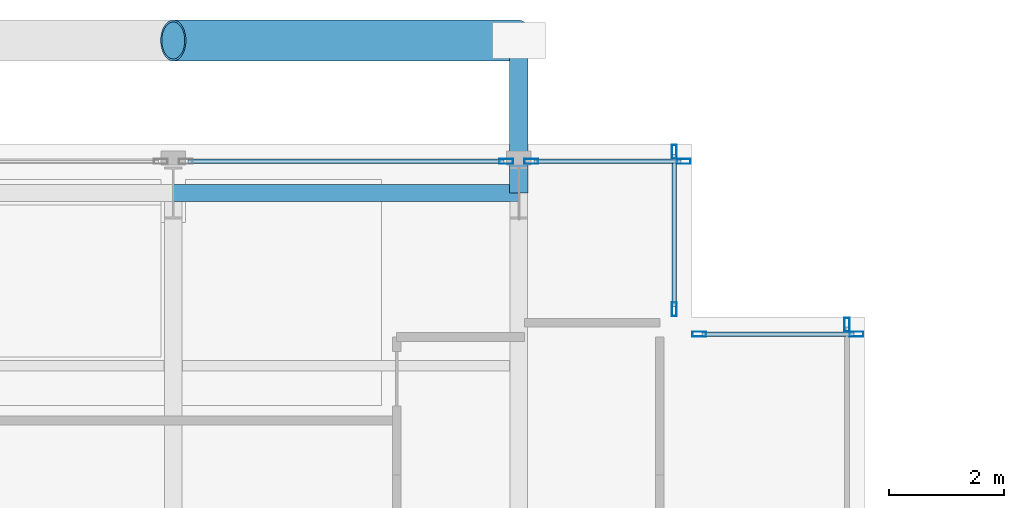
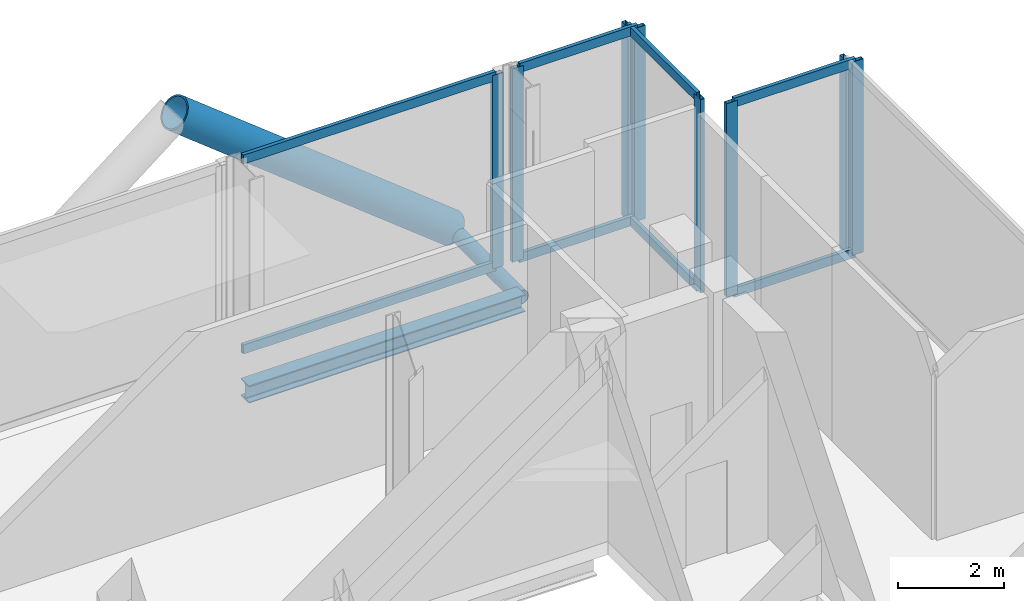
# One storey, part 12 of 19: 18 members, 1 beam, 5 elements without a shape of their own.
"""IFC4 building model written with IfcOpenShell, lengths in metres."""

from ifc_helpers import new_model, si_unit, direction, frame, origin, origin_2d, place, context, subcontext, project, spatial, hollow_rectangle, hollow_circle, i_section, extrude, material, layer, layer_set, material_profile, profile_set, type_object, element, aggregate, save


model = new_model("IFC4")

# Units and contexts
model_context = context("Model", 3, precision=1e-05, world=origin(), true_north=direction((0.0, 1.0)))
body_context = subcontext(model_context, "Body", "Model", "MODEL_VIEW")
ifc_project = project(units=[si_unit("LENGTHUNIT", "METRE"), si_unit("AREAUNIT", "SQUARE_METRE"), si_unit("VOLUMEUNIT", "CUBIC_METRE"), si_unit("PLANEANGLEUNIT", "RADIAN"), si_unit("MASSUNIT", "GRAM", prefix="KILO"), si_unit("THERMODYNAMICTEMPERATUREUNIT", "KELVIN"), si_unit("POWERUNIT", "WATT")], contexts=[model_context])

# Site, building, storey
site_placement = place(None, origin())
site = spatial("IfcSite", under=ifc_project, at=site_placement, CompositionType="ELEMENT")
building_placement = place(site_placement, origin())
building = spatial("IfcBuilding", under=site, at=building_placement, Name="Svarakhadi Broadcast Tower", CompositionType="ELEMENT")
storey_placement = place(building_placement, frame((0.0, 0.0, 204.0)))
storey = spatial("IfcBuildingStorey", under=building, at=storey_placement, Name="L50", CompositionType="ELEMENT", Elevation=204.0)

# Curtain wall, member
ifc_material_1 = material(Name="Anodised Bronze Aluminium AA 6063-T6", Category="aluminium")
ifc_layer = layer(ifc_material_1, 0.239990234375)
ifc_layer_set = layer_set([ifc_layer], Name="Anodised Bronze Aluminium AA 6063-T6")
curtain_wall_type = type_object("IfcCurtainWallType", Name="CW_Sys_06", PredefinedType="NOTDEFINED", material=ifc_layer_set)
curtain_wall_1_placement = place(storey_placement, origin())
curtain_wall_1 = element("IfcCurtainWall", 1, at=curtain_wall_1_placement, inside=storey, type_object=curtain_wall_type, Name="L50 Unitised Facade Curtain Wall 05 Bay 2", PredefinedType="NOTDEFINED")
ifc_material_profile_1 = material_profile(ifc_material_1, hollow_rectangle(XDim=0.090087890625, YDim=0.239990234375, WallThickness=0.006103515625, at=origin_2d()), Name="ALU MULLION 240x90x6")
ifc_profile_set_1 = profile_set([ifc_material_profile_1], Name="Anodised Bronze Aluminium AA 6063-T6")
member_type_1 = type_object("IfcMemberType", Name="CW_Sys_06_Mul", PredefinedType="MULLION", material=ifc_profile_set_1)
member_1_placement = place(storey_placement, frame((17.784912109375, 35.699951171875, 0.0), z_axis=(0.0, 0.0, 1.0), x_axis=(0.0, 1.0, 0.0)))
member_1 = element("IfcMember", 2, at=member_1_placement, type_object=member_type_1, Name="CW-06 mullion 2", PredefinedType="MULLION", context=body_context, shape_type="SweptSolid", body=[
    extrude(hollow_rectangle(XDim=0.090087890625, YDim=0.239990234375, WallThickness=0.006103515625, at=origin_2d()), origin(), (0.0, 0.0, 1.0), 4.43994140625),
])

# Curtain wall, members
curtain_wall_2_placement = place(storey_placement, origin())
curtain_wall_2 = element("IfcCurtainWall", 3, at=curtain_wall_2_placement, inside=storey, type_object=curtain_wall_type, Name="L50 Unitised Facade Curtain Wall 05 Bay 3", PredefinedType="NOTDEFINED")
member_2_placement = place(storey_placement, frame((18.215087890625, 35.699951171875, 0.0), z_axis=(0.0, 0.0, 1.0), x_axis=(0.0, 1.0, 0.0)))
member_2 = element("IfcMember", 4, at=member_2_placement, type_object=member_type_1, Name="CW-06 mullion 1", PredefinedType="MULLION", context=body_context, shape_type="SweptSolid", body=[
    extrude(hollow_rectangle(XDim=0.090087890625, YDim=0.239990234375, WallThickness=0.006103515625, at=origin_2d()), origin(), (0.0, 0.0, 1.0), 4.43994140625),
])
member_3_placement = place(storey_placement, frame((20.864990234375, 35.699951171875, 0.0), z_axis=(0.0, 0.0, 1.0), x_axis=(0.0, 1.0, 0.0)))
member_3 = element("IfcMember", 5, at=member_3_placement, type_object=member_type_1, Name="CW-06 mullion 2", PredefinedType="MULLION", context=body_context, shape_type="SweptSolid", body=[
    extrude(hollow_rectangle(XDim=0.090087890625, YDim=0.239990234375, WallThickness=0.006103515625, at=origin_2d()), origin(), (0.0, 0.0, 1.0), 4.43994140625),
])

curtain_wall_3_placement = place(storey_placement, origin())
curtain_wall_3 = element("IfcCurtainWall", 6, at=curtain_wall_3_placement, inside=storey, type_object=curtain_wall_type, Name="L50 Unitised Facade Curtain Wall 06", PredefinedType="NOTDEFINED")
member_4_placement = place(storey_placement, frame((20.699951171875, 35.864990234375, 0.0), z_axis=(0.0, 0.0, 1.0), x_axis=(1.0, 0.0, 0.0)))
member_4 = element("IfcMember", 7, at=member_4_placement, type_object=member_type_1, Name="CW-06 mullion 1", PredefinedType="MULLION", context=body_context, shape_type="SweptSolid", body=[
    extrude(hollow_rectangle(XDim=0.090087890625, YDim=0.239990234375, WallThickness=0.006103515625, at=origin_2d()), origin(), (0.0, 0.0, 1.0), 4.43994140625),
])
member_5_placement = place(storey_placement, frame((20.699951171875, 33.135009765625, 0.0), z_axis=(0.0, 0.0, 1.0), x_axis=(1.0, 0.0, 0.0)))
member_5 = element("IfcMember", 8, at=member_5_placement, type_object=member_type_1, Name="CW-06 mullion 2", PredefinedType="MULLION", context=body_context, shape_type="SweptSolid", body=[
    extrude(hollow_rectangle(XDim=0.090087890625, YDim=0.239990234375, WallThickness=0.006103515625, at=origin_2d()), origin(), (0.0, 0.0, 1.0), 4.43994140625),
])

curtain_wall_4_placement = place(storey_placement, origin())
curtain_wall_4 = element("IfcCurtainWall", 9, at=curtain_wall_4_placement, inside=storey, type_object=curtain_wall_type, Name="L50 Unitised Facade Curtain Wall 07", PredefinedType="NOTDEFINED")
member_6_placement = place(storey_placement, frame((21.135009765625, 32.699951171875, 0.0), z_axis=(0.0, 0.0, 1.0), x_axis=(0.0, 1.0, 0.0)))
member_6 = element("IfcMember", 10, at=member_6_placement, type_object=member_type_1, Name="CW-06 mullion 1", PredefinedType="MULLION", context=body_context, shape_type="SweptSolid", body=[
    extrude(hollow_rectangle(XDim=0.090087890625, YDim=0.239990234375, WallThickness=0.006103515625, at=origin_2d()), origin(), (0.0, 0.0, 1.0), 4.43994140625),
])
member_7_placement = place(storey_placement, frame((23.864990234375, 32.699951171875, 0.0), z_axis=(0.0, 0.0, 1.0), x_axis=(0.0, 1.0, 0.0)))
member_7 = element("IfcMember", 11, at=member_7_placement, type_object=member_type_1, Name="CW-06 mullion 2", PredefinedType="MULLION", context=body_context, shape_type="SweptSolid", body=[
    extrude(hollow_rectangle(XDim=0.090087890625, YDim=0.239990234375, WallThickness=0.006103515625, at=origin_2d()), origin(), (0.0, 0.0, 1.0), 4.43994140625),
])

# Curtain wall, member
curtain_wall_5_placement = place(storey_placement, origin())
curtain_wall_5 = element("IfcCurtainWall", 12, at=curtain_wall_5_placement, inside=storey, type_object=curtain_wall_type, Name="L50 Unitised Facade Curtain Wall 08", PredefinedType="NOTDEFINED")
member_8_placement = place(storey_placement, frame((23.699951171875, 32.864990234375, 0.0), z_axis=(0.0, 0.0, 1.0), x_axis=(1.0, 0.0, 0.0)))
member_8 = element("IfcMember", 13, at=member_8_placement, type_object=member_type_1, Name="CW-06 mullion 1", PredefinedType="MULLION", context=body_context, shape_type="SweptSolid", body=[
    extrude(hollow_rectangle(XDim=0.090087890625, YDim=0.239990234375, WallThickness=0.006103515625, at=origin_2d()), origin(), (0.0, 0.0, 1.0), 4.43994140625),
])
aggregate(curtain_wall_5, [member_8])

# Member
ifc_material_profile_2 = material_profile(ifc_material_1, hollow_rectangle(XDim=0.080078125, YDim=0.2099609375, WallThickness=0.0048828125, at=origin_2d()), Name="ALU TRANSOM 210x80x5")
ifc_profile_set_2 = profile_set([ifc_material_profile_2], Name="Anodised Bronze Aluminium AA 6063-T6")
member_type_2 = type_object("IfcMemberType", Name="CW_Sys_06_Trn", PredefinedType="USERDEFINED", material=ifc_profile_set_2)
member_9_placement = place(storey_placement, frame((12.260009765625, 35.699951171875, 0.0400390625), z_axis=(1.0, 0.0, 0.0), x_axis=(0.0, 1.0, 0.0)))
member_9 = element("IfcMember", 14, at=member_9_placement, type_object=member_type_2, Name="CW-06 transom 1.1", ObjectType="TRANSOM", PredefinedType="USERDEFINED", context=body_context, shape_type="SweptSolid", body=[
    extrude(hollow_rectangle(XDim=0.080078125, YDim=0.2099609375, WallThickness=0.0048828125, at=origin_2d()), origin(), (0.0, 0.0, 1.0), 5.47998046875),
])

member_10_placement = place(storey_placement, frame((12.260009765625, 35.699951171875, 4.39990234375), z_axis=(1.0, 0.0, 0.0), x_axis=(0.0, 1.0, 0.0)))
member_10 = element("IfcMember", 15, at=member_10_placement, type_object=member_type_2, Name="CW-06 transom 1.2", ObjectType="TRANSOM", PredefinedType="USERDEFINED", context=body_context, shape_type="SweptSolid", body=[
    extrude(hollow_rectangle(XDim=0.080078125, YDim=0.2099609375, WallThickness=0.0048828125, at=origin_2d()), origin(), (0.0, 0.0, 1.0), 5.47998046875),
])

aggregate(curtain_wall_1, [member_1, member_9, member_10])

member_11_placement = place(storey_placement, frame((18.260009765625, 35.699951171875, 0.0400390625), z_axis=(1.0, 0.0, 0.0), x_axis=(0.0, 1.0, 0.0)))
member_11 = element("IfcMember", 16, at=member_11_placement, type_object=member_type_2, Name="CW-06 transom 1.1", ObjectType="TRANSOM", PredefinedType="USERDEFINED", context=body_context, shape_type="SweptSolid", body=[
    extrude(hollow_rectangle(XDim=0.080078125, YDim=0.2099609375, WallThickness=0.0048828125, at=origin_2d()), origin(), (0.0, 0.0, 1.0), 2.56005859375),
])

member_12_placement = place(storey_placement, frame((18.260009765625, 35.699951171875, 4.39990234375), z_axis=(1.0, 0.0, 0.0), x_axis=(0.0, 1.0, 0.0)))
member_12 = element("IfcMember", 17, at=member_12_placement, type_object=member_type_2, Name="CW-06 transom 1.2", ObjectType="TRANSOM", PredefinedType="USERDEFINED", context=body_context, shape_type="SweptSolid", body=[
    extrude(hollow_rectangle(XDim=0.080078125, YDim=0.2099609375, WallThickness=0.0048828125, at=origin_2d()), origin(), (0.0, 0.0, 1.0), 2.56005859375),
])

aggregate(curtain_wall_2, [member_2, member_3, member_11, member_12])

member_13_placement = place(storey_placement, frame((20.699951171875, 35.820068359375, 0.0400390625), z_axis=(0.0, -1.0, 0.0), x_axis=(1.0, 0.0, 0.0)))
member_13 = element("IfcMember", 18, at=member_13_placement, type_object=member_type_2, Name="CW-06 transom 1.1", ObjectType="TRANSOM", PredefinedType="USERDEFINED", context=body_context, shape_type="SweptSolid", body=[
    extrude(hollow_rectangle(XDim=0.080078125, YDim=0.2099609375, WallThickness=0.0048828125, at=origin_2d()), origin(), (0.0, 0.0, 1.0), 2.64013671875),
])

member_14_placement = place(storey_placement, frame((20.699951171875, 35.820068359375, 4.39990234375), z_axis=(0.0, -1.0, 0.0), x_axis=(1.0, 0.0, 0.0)))
member_14 = element("IfcMember", 19, at=member_14_placement, type_object=member_type_2, Name="CW-06 transom 1.2", ObjectType="TRANSOM", PredefinedType="USERDEFINED", context=body_context, shape_type="SweptSolid", body=[
    extrude(hollow_rectangle(XDim=0.080078125, YDim=0.2099609375, WallThickness=0.0048828125, at=origin_2d()), origin(), (0.0, 0.0, 1.0), 2.64013671875),
])

aggregate(curtain_wall_3, [member_4, member_5, member_13, member_14])

member_15_placement = place(storey_placement, frame((21.179931640625, 32.699951171875, 0.0400390625), z_axis=(1.0, 0.0, 0.0), x_axis=(0.0, 1.0, 0.0)))
member_15 = element("IfcMember", 20, at=member_15_placement, type_object=member_type_2, Name="CW-06 transom 1.1", ObjectType="TRANSOM", PredefinedType="USERDEFINED", context=body_context, shape_type="SweptSolid", body=[
    extrude(hollow_rectangle(XDim=0.080078125, YDim=0.2099609375, WallThickness=0.0048828125, at=origin_2d()), origin(), (0.0, 0.0, 1.0), 2.64013671875),
])

member_16_placement = place(storey_placement, frame((21.179931640625, 32.699951171875, 4.39990234375), z_axis=(1.0, 0.0, 0.0), x_axis=(0.0, 1.0, 0.0)))
member_16 = element("IfcMember", 21, at=member_16_placement, type_object=member_type_2, Name="CW-06 transom 1.2", ObjectType="TRANSOM", PredefinedType="USERDEFINED", context=body_context, shape_type="SweptSolid", body=[
    extrude(hollow_rectangle(XDim=0.080078125, YDim=0.2099609375, WallThickness=0.0048828125, at=origin_2d()), origin(), (0.0, 0.0, 1.0), 2.64013671875),
])

aggregate(curtain_wall_4, [member_6, member_7, member_15, member_16])

# Members
ifc_material_2 = material(Name="Steel S460ML (IS 2062 E450BR)", Category="steel")
ifc_material_profile_3 = material_profile(ifc_material_2, hollow_circle(Radius=0.35546875, WallThickness=0.034912109375, at=origin_2d()), Name="CHS 711x35")
ifc_profile_set_3 = profile_set([ifc_material_profile_3], Name="Steel S460ML (IS 2062 E450BR)")
member_type_3 = type_object("IfcMemberType", Name="Exo_Brace_CHS711", PredefinedType="BRACE", material=ifc_profile_set_3)
member_17_placement = place(storey_placement, frame((18.0, 37.800048828125, -0.4619140625), z_axis=(-0.784682488402, 0.0, 0.619897888685), x_axis=(0.0, -1.0, 0.0)))
element("IfcMember", 22, at=member_17_placement, inside=storey, type_object=member_type_3, Name="L50 Exposed Bronze Exoskeleton Diagonal N11", PredefinedType="BRACE", context=body_context, shape_type="SweptSolid", body=[
    extrude(hollow_circle(Radius=0.35546875, WallThickness=0.034912109375, at=origin_2d()), origin(), (0.0, 0.0, 1.0), 7.646484375),
])
ifc_material_profile_4 = material_profile(ifc_material_2, hollow_circle(Radius=0.161865234375, WallThickness=0.01611328125, at=origin_2d()), Name="CHS 323.9x16")
ifc_profile_set_4 = profile_set([ifc_material_profile_4], Name="Steel S460ML (IS 2062 E450BR)")
member_type_4 = type_object("IfcMemberType", Name="Exo_Radial_Strut_Z2", PredefinedType="STRUT", material=ifc_profile_set_4)
member_18_placement = place(storey_placement, frame((18.0, 37.800048828125, -0.4619140625), z_axis=(0.0, -1.0, 0.0), x_axis=(1.0, 0.0, 0.0)))
element("IfcMember", 23, at=member_18_placement, inside=storey, type_object=member_type_4, Name="L50 Exoskeleton Radial Tie Strut N08", PredefinedType="STRUT", context=body_context, shape_type="SweptSolid", body=[
    extrude(hollow_circle(Radius=0.161865234375, WallThickness=0.01611328125, at=origin_2d()), origin(), (0.0, 0.0, 1.0), 2.650146484375),
])

# Beam
ifc_material_3 = material(Name="Steel S355J2 (IS 2062 E350C)", Category="steel")
ifc_material_profile_5 = material_profile(ifc_material_3, i_section(OverallWidth=0.300048828125, OverallDepth=0.39990234375, WebThickness=0.013427734375, FlangeThickness=0.02392578125, FilletRadius=0.027099609375, at=origin_2d()), Name="WPB 400x300x155")
ifc_profile_set_5 = profile_set([ifc_material_profile_5], Name="Steel S355J2 (IS 2062 E350C)")
beam_type = type_object("IfcBeamType", Name="Girder_WPB400", PredefinedType="USERDEFINED", material=ifc_profile_set_5)
beam_placement = place(storey_placement, frame((12.0, 35.14990234375, -0.5), z_axis=(1.0, 0.0, 0.0), x_axis=(0.0, 1.0, 0.0)))
element("IfcBeam", 24, at=beam_placement, inside=storey, type_object=beam_type, Name="L50 Primary E-W Girder G032", ObjectType="GIRDER", PredefinedType="USERDEFINED", context=body_context, shape_type="SweptSolid", body=[
    extrude(i_section(OverallWidth=0.300048828125, OverallDepth=0.39990234375, WebThickness=0.013427734375, FlangeThickness=0.02392578125, FilletRadius=0.027099609375, at=origin_2d()), origin(), (0.0, 0.0, 1.0), 6.0),
])

save(model, "model.ifc")
